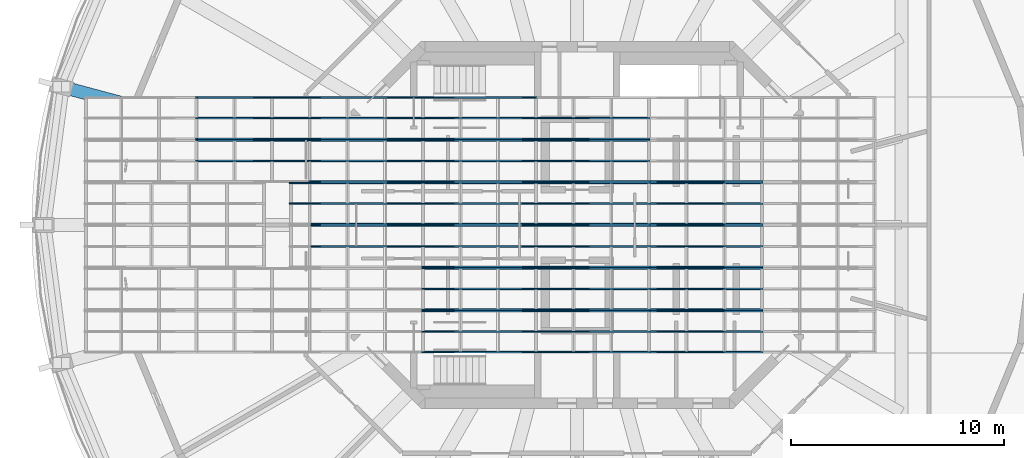
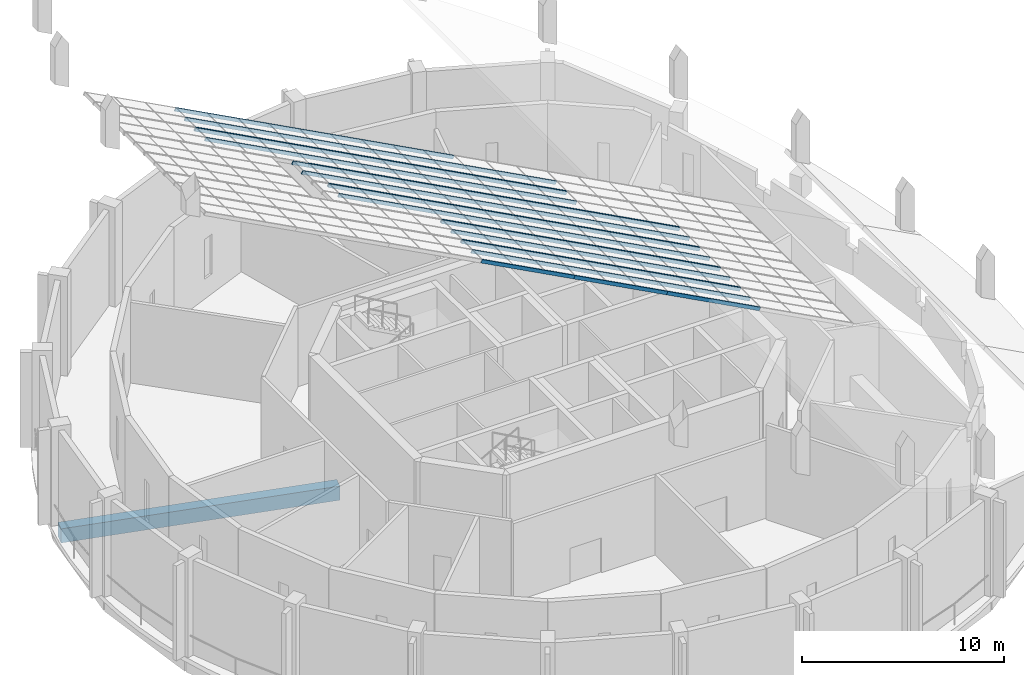
# One storey, part 2 of 19: 66 members, 1 beam, 6 elements without a shape of their own.
"""IFC4 building model written with IfcOpenShell, lengths in metres."""

from ifc_helpers import new_model, si_unit, direction, frame, origin, origin_2d, place, context, subcontext, project, spatial, rectangle, extrude, material, material_profile, profile_set, type_object, element, aggregate, save


model = new_model("IFC4")

# Units and contexts
model_context = context("Model", 3, precision=1e-05, world=origin(), true_north=direction((0.0, 1.0)))
body_context = subcontext(model_context, "Body", "Model", "MODEL_VIEW")
ifc_project = project(units=[si_unit("LENGTHUNIT", "METRE"), si_unit("AREAUNIT", "SQUARE_METRE"), si_unit("VOLUMEUNIT", "CUBIC_METRE"), si_unit("PLANEANGLEUNIT", "RADIAN"), si_unit("MASSUNIT", "GRAM", prefix="KILO")], contexts=[model_context])

# Site, building, storey
site_placement = place(None, origin())
site = spatial("IfcSite", under=ifc_project, at=site_placement, CompositionType="ELEMENT")
building_placement = place(site_placement, origin())
building = spatial("IfcBuilding", under=site, at=building_placement, Name="Torre Triforio", CompositionType="ELEMENT")
storey_placement = place(building_placement, frame((0.0, 0.0, 290.800048828125)))
storey = spatial("IfcBuildingStorey", under=building, at=storey_placement, Name="RF-1", CompositionType="ELEMENT", Elevation=290.800048828125)

# Curtain wall, members
ifc_material_1 = material(Name="Aluminium glazing bars with clear laminated glass", Category="aluminium")
curtain_wall_type = type_object("IfcCurtainWallType", Name="Crown lantern glazing CW4", PredefinedType="NOTDEFINED", material=ifc_material_1)
curtain_wall_1_placement = place(storey_placement, origin())
curtain_wall_1 = element("IfcCurtainWall", 1, at=curtain_wall_1_placement, inside=storey, type_object=curtain_wall_type, Name="Crown lantern run 1", PredefinedType="NOTDEFINED")
ifc_material_2 = material(Name="Anodised aluminium extrusion", Category="aluminium")
ifc_material_profile_1 = material_profile(ifc_material_2, rectangle(XDim=0.070068359375, YDim=0.199951171875, at=origin_2d()), Name="CW4 MULLION 70x200")
ifc_profile_set_1 = profile_set([ifc_material_profile_1], Name="Anodised aluminium extrusion")
member_type = type_object("IfcMemberType", Name="CW4 glazing bar 70 x 200", PredefinedType="MULLION", material=ifc_profile_set_1)
member_1_placement = place(storey_placement, frame((8.655517578125, -5.965087890625, 8.869873046875), z_axis=(-0.882966055528, 0.0, 0.469436837909), x_axis=(0.0, -1.0, 0.0)))
member_1 = element("IfcMember", 2, at=member_1_placement, type_object=member_type, Name="CW4 glazing bar 1.1.2", PredefinedType="MULLION", context=body_context, shape_type="SweptSolid", body=[
    extrude(rectangle(XDim=0.070068359375, YDim=0.199951171875, at=origin_2d()), origin(), (0.0, 0.0, 1.0), 6.0),
])
member_2_placement = place(storey_placement, frame((3.357666015625, -5.965087890625, 11.6865234375), z_axis=(-0.882940221191, 0.0, 0.469485426614), x_axis=(0.0, -1.0, 0.0)))
member_2 = element("IfcMember", 3, at=member_2_placement, type_object=member_type, Name="CW4 glazing bar 1.1.3", PredefinedType="MULLION", context=body_context, shape_type="SweptSolid", body=[
    extrude(rectangle(XDim=0.070068359375, YDim=0.199951171875, at=origin_2d()), origin(), (0.0, 0.0, 1.0), 6.0),
])
member_3_placement = place(storey_placement, frame((-1.93994140625, -5.965087890625, 14.50341796875), z_axis=(-0.882949189538, 0.0, 0.469468559857), x_axis=(0.0, -1.0, 0.0)))
member_3 = element("IfcMember", 4, at=member_3_placement, type_object=member_type, Name="CW4 glazing bar 1.1.4", PredefinedType="MULLION", context=body_context, shape_type="SweptSolid", body=[
    extrude(rectangle(XDim=0.070068359375, YDim=0.199951171875, at=origin_2d()), origin(), (0.0, 0.0, 1.0), 6.000244140625),
])
member_4_placement = place(storey_placement, frame((8.655517578125, -5.0, 8.869873046875), z_axis=(-0.882966055528, 0.0, 0.469436837909), x_axis=(0.0, -1.0, 0.0)))
member_4 = element("IfcMember", 5, at=member_4_placement, type_object=member_type, Name="CW4 glazing bar 1.2.2", PredefinedType="MULLION", context=body_context, shape_type="SweptSolid", body=[
    extrude(rectangle(XDim=0.070068359375, YDim=0.199951171875, at=origin_2d()), origin(), (0.0, 0.0, 1.0), 6.0),
])
member_5_placement = place(storey_placement, frame((3.357666015625, -5.0, 11.6865234375), z_axis=(-0.882940221191, 0.0, 0.469485426614), x_axis=(0.0, -1.0, 0.0)))
member_5 = element("IfcMember", 6, at=member_5_placement, type_object=member_type, Name="CW4 glazing bar 1.2.3", PredefinedType="MULLION", context=body_context, shape_type="SweptSolid", body=[
    extrude(rectangle(XDim=0.070068359375, YDim=0.199951171875, at=origin_2d()), origin(), (0.0, 0.0, 1.0), 6.0),
])
member_6_placement = place(storey_placement, frame((-1.93994140625, -5.0, 14.50341796875), z_axis=(-0.882949189538, 0.0, 0.469468559857), x_axis=(0.0, -1.0, 0.0)))
member_6 = element("IfcMember", 7, at=member_6_placement, type_object=member_type, Name="CW4 glazing bar 1.2.4", PredefinedType="MULLION", context=body_context, shape_type="SweptSolid", body=[
    extrude(rectangle(XDim=0.070068359375, YDim=0.199951171875, at=origin_2d()), origin(), (0.0, 0.0, 1.0), 6.000244140625),
])
member_7_placement = place(storey_placement, frame((8.655517578125, -4.034912109375, 8.869873046875), z_axis=(-0.882966055528, 0.0, 0.469436837909), x_axis=(0.0, -1.0, 0.0)))
member_7 = element("IfcMember", 8, at=member_7_placement, type_object=member_type, Name="CW4 glazing bar 1.3.2", PredefinedType="MULLION", context=body_context, shape_type="SweptSolid", body=[
    extrude(rectangle(XDim=0.070068359375, YDim=0.199951171875, at=origin_2d()), origin(), (0.0, 0.0, 1.0), 6.0),
])
member_8_placement = place(storey_placement, frame((3.357666015625, -4.034912109375, 11.6865234375), z_axis=(-0.882940221191, 0.0, 0.469485426614), x_axis=(0.0, -1.0, 0.0)))
member_8 = element("IfcMember", 9, at=member_8_placement, type_object=member_type, Name="CW4 glazing bar 1.3.3", PredefinedType="MULLION", context=body_context, shape_type="SweptSolid", body=[
    extrude(rectangle(XDim=0.070068359375, YDim=0.199951171875, at=origin_2d()), origin(), (0.0, 0.0, 1.0), 6.0),
])
member_9_placement = place(storey_placement, frame((-1.93994140625, -4.034912109375, 14.50341796875), z_axis=(-0.882949189538, 0.0, 0.469468559857), x_axis=(0.0, -1.0, 0.0)))
member_9 = element("IfcMember", 10, at=member_9_placement, type_object=member_type, Name="CW4 glazing bar 1.3.4", PredefinedType="MULLION", context=body_context, shape_type="SweptSolid", body=[
    extrude(rectangle(XDim=0.070068359375, YDim=0.199951171875, at=origin_2d()), origin(), (0.0, 0.0, 1.0), 6.000244140625),
])
aggregate(curtain_wall_1, [member_1, member_2, member_3, member_4, member_5, member_6, member_7, member_8, member_9])

curtain_wall_2_placement = place(storey_placement, origin())
curtain_wall_2 = element("IfcCurtainWall", 11, at=curtain_wall_2_placement, inside=storey, type_object=curtain_wall_type, Name="Crown lantern run 2", PredefinedType="NOTDEFINED")
member_10_placement = place(storey_placement, frame((8.655517578125, -3.965087890625, 8.869873046875), z_axis=(-0.882966055528, 0.0, 0.469436837909), x_axis=(0.0, -1.0, 0.0)))
member_10 = element("IfcMember", 12, at=member_10_placement, type_object=member_type, Name="CW4 glazing bar 2.1.2", PredefinedType="MULLION", context=body_context, shape_type="SweptSolid", body=[
    extrude(rectangle(XDim=0.070068359375, YDim=0.199951171875, at=origin_2d()), origin(), (0.0, 0.0, 1.0), 6.0),
])
member_11_placement = place(storey_placement, frame((3.357666015625, -3.965087890625, 11.6865234375), z_axis=(-0.882940221191, 0.0, 0.469485426614), x_axis=(0.0, -1.0, 0.0)))
member_11 = element("IfcMember", 13, at=member_11_placement, type_object=member_type, Name="CW4 glazing bar 2.1.3", PredefinedType="MULLION", context=body_context, shape_type="SweptSolid", body=[
    extrude(rectangle(XDim=0.070068359375, YDim=0.199951171875, at=origin_2d()), origin(), (0.0, 0.0, 1.0), 6.0),
])
member_12_placement = place(storey_placement, frame((-1.93994140625, -3.965087890625, 14.50341796875), z_axis=(-0.882949189538, 0.0, 0.469468559857), x_axis=(0.0, -1.0, 0.0)))
member_12 = element("IfcMember", 14, at=member_12_placement, type_object=member_type, Name="CW4 glazing bar 2.1.4", PredefinedType="MULLION", context=body_context, shape_type="SweptSolid", body=[
    extrude(rectangle(XDim=0.070068359375, YDim=0.199951171875, at=origin_2d()), origin(), (0.0, 0.0, 1.0), 6.000244140625),
])
member_13_placement = place(storey_placement, frame((8.655517578125, -3.0, 8.869873046875), z_axis=(-0.882966055528, 0.0, 0.469436837909), x_axis=(0.0, -1.0, 0.0)))
member_13 = element("IfcMember", 15, at=member_13_placement, type_object=member_type, Name="CW4 glazing bar 2.2.2", PredefinedType="MULLION", context=body_context, shape_type="SweptSolid", body=[
    extrude(rectangle(XDim=0.070068359375, YDim=0.199951171875, at=origin_2d()), origin(), (0.0, 0.0, 1.0), 6.0),
])
member_14_placement = place(storey_placement, frame((3.357666015625, -3.0, 11.6865234375), z_axis=(-0.882940221191, 0.0, 0.469485426614), x_axis=(0.0, -1.0, 0.0)))
member_14 = element("IfcMember", 16, at=member_14_placement, type_object=member_type, Name="CW4 glazing bar 2.2.3", PredefinedType="MULLION", context=body_context, shape_type="SweptSolid", body=[
    extrude(rectangle(XDim=0.070068359375, YDim=0.199951171875, at=origin_2d()), origin(), (0.0, 0.0, 1.0), 6.0),
])
member_15_placement = place(storey_placement, frame((-1.93994140625, -3.0, 14.50341796875), z_axis=(-0.882949189538, 0.0, 0.469468559857), x_axis=(0.0, -1.0, 0.0)))
member_15 = element("IfcMember", 17, at=member_15_placement, type_object=member_type, Name="CW4 glazing bar 2.2.4", PredefinedType="MULLION", context=body_context, shape_type="SweptSolid", body=[
    extrude(rectangle(XDim=0.070068359375, YDim=0.199951171875, at=origin_2d()), origin(), (0.0, 0.0, 1.0), 6.000244140625),
])
member_16_placement = place(storey_placement, frame((8.655517578125, -2.034912109375, 8.869873046875), z_axis=(-0.882966055528, 0.0, 0.469436837909), x_axis=(0.0, -1.0, 0.0)))
member_16 = element("IfcMember", 18, at=member_16_placement, type_object=member_type, Name="CW4 glazing bar 2.3.2", PredefinedType="MULLION", context=body_context, shape_type="SweptSolid", body=[
    extrude(rectangle(XDim=0.070068359375, YDim=0.199951171875, at=origin_2d()), origin(), (0.0, 0.0, 1.0), 6.0),
])
member_17_placement = place(storey_placement, frame((3.357666015625, -2.034912109375, 11.6865234375), z_axis=(-0.882940221191, 0.0, 0.469485426614), x_axis=(0.0, -1.0, 0.0)))
member_17 = element("IfcMember", 19, at=member_17_placement, type_object=member_type, Name="CW4 glazing bar 2.3.3", PredefinedType="MULLION", context=body_context, shape_type="SweptSolid", body=[
    extrude(rectangle(XDim=0.070068359375, YDim=0.199951171875, at=origin_2d()), origin(), (0.0, 0.0, 1.0), 6.0),
])
member_18_placement = place(storey_placement, frame((-1.93994140625, -2.034912109375, 14.50341796875), z_axis=(-0.882949189538, 0.0, 0.469468559857), x_axis=(0.0, -1.0, 0.0)))
member_18 = element("IfcMember", 20, at=member_18_placement, type_object=member_type, Name="CW4 glazing bar 2.3.4", PredefinedType="MULLION", context=body_context, shape_type="SweptSolid", body=[
    extrude(rectangle(XDim=0.070068359375, YDim=0.199951171875, at=origin_2d()), origin(), (0.0, 0.0, 1.0), 6.000244140625),
])
aggregate(curtain_wall_2, [member_10, member_11, member_12, member_13, member_14, member_15, member_16, member_17, member_18])

curtain_wall_3_placement = place(storey_placement, origin())
curtain_wall_3 = element("IfcCurtainWall", 21, at=curtain_wall_3_placement, inside=storey, type_object=curtain_wall_type, Name="Crown lantern run 3", PredefinedType="NOTDEFINED")
member_19_placement = place(storey_placement, frame((8.655517578125, -1.965087890625, 8.869873046875), z_axis=(-0.882966055528, 0.0, 0.469436837909), x_axis=(0.0, -1.0, 0.0)))
member_19 = element("IfcMember", 22, at=member_19_placement, type_object=member_type, Name="CW4 glazing bar 3.1.2", PredefinedType="MULLION", context=body_context, shape_type="SweptSolid", body=[
    extrude(rectangle(XDim=0.070068359375, YDim=0.199951171875, at=origin_2d()), origin(), (0.0, 0.0, 1.0), 6.0),
])
member_20_placement = place(storey_placement, frame((3.357666015625, -1.965087890625, 11.6865234375), z_axis=(-0.882940221191, 0.0, 0.469485426614), x_axis=(0.0, -1.0, 0.0)))
member_20 = element("IfcMember", 23, at=member_20_placement, type_object=member_type, Name="CW4 glazing bar 3.1.3", PredefinedType="MULLION", context=body_context, shape_type="SweptSolid", body=[
    extrude(rectangle(XDim=0.070068359375, YDim=0.199951171875, at=origin_2d()), origin(), (0.0, 0.0, 1.0), 6.0),
])
member_21_placement = place(storey_placement, frame((-1.93994140625, -1.965087890625, 14.50341796875), z_axis=(-0.882949189538, 0.0, 0.469468559857), x_axis=(0.0, -1.0, 0.0)))
member_21 = element("IfcMember", 24, at=member_21_placement, type_object=member_type, Name="CW4 glazing bar 3.1.4", PredefinedType="MULLION", context=body_context, shape_type="SweptSolid", body=[
    extrude(rectangle(XDim=0.070068359375, YDim=0.199951171875, at=origin_2d()), origin(), (0.0, 0.0, 1.0), 6.000244140625),
])
member_22_placement = place(storey_placement, frame((8.655517578125, -1.0, 8.869873046875), z_axis=(-0.882966055528, 0.0, 0.469436837909), x_axis=(0.0, -1.0, 0.0)))
member_22 = element("IfcMember", 25, at=member_22_placement, type_object=member_type, Name="CW4 glazing bar 3.2.2", PredefinedType="MULLION", context=body_context, shape_type="SweptSolid", body=[
    extrude(rectangle(XDim=0.070068359375, YDim=0.199951171875, at=origin_2d()), origin(), (0.0, 0.0, 1.0), 6.0),
])
member_23_placement = place(storey_placement, frame((3.357666015625, -1.0, 11.6865234375), z_axis=(-0.882940221191, 0.0, 0.469485426614), x_axis=(0.0, -1.0, 0.0)))
member_23 = element("IfcMember", 26, at=member_23_placement, type_object=member_type, Name="CW4 glazing bar 3.2.3", PredefinedType="MULLION", context=body_context, shape_type="SweptSolid", body=[
    extrude(rectangle(XDim=0.070068359375, YDim=0.199951171875, at=origin_2d()), origin(), (0.0, 0.0, 1.0), 6.0),
])
member_24_placement = place(storey_placement, frame((-1.93994140625, -1.0, 14.50341796875), z_axis=(-0.882949189538, 0.0, 0.469468559857), x_axis=(0.0, -1.0, 0.0)))
member_24 = element("IfcMember", 27, at=member_24_placement, type_object=member_type, Name="CW4 glazing bar 3.2.4", PredefinedType="MULLION", context=body_context, shape_type="SweptSolid", body=[
    extrude(rectangle(XDim=0.070068359375, YDim=0.199951171875, at=origin_2d()), origin(), (0.0, 0.0, 1.0), 6.000244140625),
])
member_25_placement = place(storey_placement, frame((-7.23779296875, -1.0, 17.3203125), z_axis=(-0.882957088221, 0.0, 0.469453704171), x_axis=(0.0, -1.0, 0.0)))
member_25 = element("IfcMember", 28, at=member_25_placement, type_object=member_type, Name="CW4 glazing bar 3.2.5", PredefinedType="MULLION", context=body_context, shape_type="SweptSolid", body=[
    extrude(rectangle(XDim=0.070068359375, YDim=0.199951171875, at=origin_2d()), origin(), (0.0, 0.0, 1.0), 5.999755859375),
])
member_26_placement = place(storey_placement, frame((8.655517578125, -0.034912109375, 8.869873046875), z_axis=(-0.882966055528, 0.0, 0.469436837909), x_axis=(0.0, -1.0, 0.0)))
member_26 = element("IfcMember", 29, at=member_26_placement, type_object=member_type, Name="CW4 glazing bar 3.3.2", PredefinedType="MULLION", context=body_context, shape_type="SweptSolid", body=[
    extrude(rectangle(XDim=0.070068359375, YDim=0.199951171875, at=origin_2d()), origin(), (0.0, 0.0, 1.0), 6.0),
])
member_27_placement = place(storey_placement, frame((3.357666015625, -0.034912109375, 11.6865234375), z_axis=(-0.882940221191, 0.0, 0.469485426614), x_axis=(0.0, -1.0, 0.0)))
member_27 = element("IfcMember", 30, at=member_27_placement, type_object=member_type, Name="CW4 glazing bar 3.3.3", PredefinedType="MULLION", context=body_context, shape_type="SweptSolid", body=[
    extrude(rectangle(XDim=0.070068359375, YDim=0.199951171875, at=origin_2d()), origin(), (0.0, 0.0, 1.0), 6.0),
])
member_28_placement = place(storey_placement, frame((-1.93994140625, -0.034912109375, 14.50341796875), z_axis=(-0.882949189538, 0.0, 0.469468559857), x_axis=(0.0, -1.0, 0.0)))
member_28 = element("IfcMember", 31, at=member_28_placement, type_object=member_type, Name="CW4 glazing bar 3.3.4", PredefinedType="MULLION", context=body_context, shape_type="SweptSolid", body=[
    extrude(rectangle(XDim=0.070068359375, YDim=0.199951171875, at=origin_2d()), origin(), (0.0, 0.0, 1.0), 6.000244140625),
])
member_29_placement = place(storey_placement, frame((-7.23779296875, -0.034912109375, 17.3203125), z_axis=(-0.882957088221, 0.0, 0.469453704171), x_axis=(0.0, -1.0, 0.0)))
member_29 = element("IfcMember", 32, at=member_29_placement, type_object=member_type, Name="CW4 glazing bar 3.3.5", PredefinedType="MULLION", context=body_context, shape_type="SweptSolid", body=[
    extrude(rectangle(XDim=0.070068359375, YDim=0.199951171875, at=origin_2d()), origin(), (0.0, 0.0, 1.0), 5.999755859375),
])
aggregate(curtain_wall_3, [member_19, member_20, member_21, member_22, member_23, member_24, member_25, member_26, member_27, member_28, member_29])

curtain_wall_4_placement = place(storey_placement, origin())
curtain_wall_4 = element("IfcCurtainWall", 33, at=curtain_wall_4_placement, inside=storey, type_object=curtain_wall_type, Name="Crown lantern run 5", PredefinedType="NOTDEFINED")
member_30_placement = place(storey_placement, frame((8.655517578125, 0.034912109375, 8.869873046875), z_axis=(-0.882966055528, 0.0, 0.469436837909), x_axis=(0.0, -1.0, 0.0)))
member_30 = element("IfcMember", 34, at=member_30_placement, type_object=member_type, Name="CW4 glazing bar 5.1.2", PredefinedType="MULLION", context=body_context, shape_type="SweptSolid", body=[
    extrude(rectangle(XDim=0.070068359375, YDim=0.199951171875, at=origin_2d()), origin(), (0.0, 0.0, 1.0), 6.0),
])
member_31_placement = place(storey_placement, frame((3.357666015625, 0.034912109375, 11.6865234375), z_axis=(-0.882940221191, 0.0, 0.469485426614), x_axis=(0.0, -1.0, 0.0)))
member_31 = element("IfcMember", 35, at=member_31_placement, type_object=member_type, Name="CW4 glazing bar 5.1.3", PredefinedType="MULLION", context=body_context, shape_type="SweptSolid", body=[
    extrude(rectangle(XDim=0.070068359375, YDim=0.199951171875, at=origin_2d()), origin(), (0.0, 0.0, 1.0), 6.0),
])
member_32_placement = place(storey_placement, frame((-1.93994140625, 0.034912109375, 14.50341796875), z_axis=(-0.882949189538, 0.0, 0.469468559857), x_axis=(0.0, -1.0, 0.0)))
member_32 = element("IfcMember", 36, at=member_32_placement, type_object=member_type, Name="CW4 glazing bar 5.1.4", PredefinedType="MULLION", context=body_context, shape_type="SweptSolid", body=[
    extrude(rectangle(XDim=0.070068359375, YDim=0.199951171875, at=origin_2d()), origin(), (0.0, 0.0, 1.0), 6.000244140625),
])
member_33_placement = place(storey_placement, frame((-7.23779296875, 0.034912109375, 17.3203125), z_axis=(-0.882957088221, 0.0, 0.469453704171), x_axis=(0.0, -1.0, 0.0)))
member_33 = element("IfcMember", 37, at=member_33_placement, type_object=member_type, Name="CW4 glazing bar 5.1.5", PredefinedType="MULLION", context=body_context, shape_type="SweptSolid", body=[
    extrude(rectangle(XDim=0.070068359375, YDim=0.199951171875, at=origin_2d()), origin(), (0.0, 0.0, 1.0), 5.999755859375),
])
member_34_placement = place(storey_placement, frame((8.655517578125, 1.0, 8.869873046875), z_axis=(-0.882966055528, 0.0, 0.469436837909), x_axis=(0.0, -1.0, 0.0)))
member_34 = element("IfcMember", 38, at=member_34_placement, type_object=member_type, Name="CW4 glazing bar 5.2.2", PredefinedType="MULLION", context=body_context, shape_type="SweptSolid", body=[
    extrude(rectangle(XDim=0.070068359375, YDim=0.199951171875, at=origin_2d()), origin(), (0.0, 0.0, 1.0), 6.0),
])
member_35_placement = place(storey_placement, frame((3.357666015625, 1.0, 11.6865234375), z_axis=(-0.882940221191, 0.0, 0.469485426614), x_axis=(0.0, -1.0, 0.0)))
member_35 = element("IfcMember", 39, at=member_35_placement, type_object=member_type, Name="CW4 glazing bar 5.2.3", PredefinedType="MULLION", context=body_context, shape_type="SweptSolid", body=[
    extrude(rectangle(XDim=0.070068359375, YDim=0.199951171875, at=origin_2d()), origin(), (0.0, 0.0, 1.0), 6.0),
])
member_36_placement = place(storey_placement, frame((-1.93994140625, 1.0, 14.50341796875), z_axis=(-0.882949189538, 0.0, 0.469468559857), x_axis=(0.0, -1.0, 0.0)))
member_36 = element("IfcMember", 40, at=member_36_placement, type_object=member_type, Name="CW4 glazing bar 5.2.4", PredefinedType="MULLION", context=body_context, shape_type="SweptSolid", body=[
    extrude(rectangle(XDim=0.070068359375, YDim=0.199951171875, at=origin_2d()), origin(), (0.0, 0.0, 1.0), 6.000244140625),
])
member_37_placement = place(storey_placement, frame((-7.23779296875, 1.0, 17.3203125), z_axis=(-0.882957088221, 0.0, 0.469453704171), x_axis=(0.0, -1.0, 0.0)))
member_37 = element("IfcMember", 41, at=member_37_placement, type_object=member_type, Name="CW4 glazing bar 5.2.5", PredefinedType="MULLION", context=body_context, shape_type="SweptSolid", body=[
    extrude(rectangle(XDim=0.070068359375, YDim=0.199951171875, at=origin_2d()), origin(), (0.0, 0.0, 1.0), 5.999755859375),
])
member_38_placement = place(storey_placement, frame((-12.535400390625, 1.0, 20.136962890625), z_axis=(-0.882889075016, 0.0, 0.469581602298), x_axis=(0.0, -1.0, 0.0)))
member_38 = element("IfcMember", 42, at=member_38_placement, type_object=member_type, Name="CW4 glazing bar 5.2.6", PredefinedType="MULLION", context=body_context, shape_type="SweptSolid", body=[
    extrude(rectangle(XDim=0.070068359375, YDim=0.199951171875, at=origin_2d()), origin(), (0.0, 0.0, 1.0), 1.032470703125),
])
member_39_placement = place(storey_placement, frame((8.655517578125, 1.965087890625, 8.869873046875), z_axis=(-0.882966055528, 0.0, 0.469436837909), x_axis=(0.0, -1.0, 0.0)))
member_39 = element("IfcMember", 43, at=member_39_placement, type_object=member_type, Name="CW4 glazing bar 5.3.2", PredefinedType="MULLION", context=body_context, shape_type="SweptSolid", body=[
    extrude(rectangle(XDim=0.070068359375, YDim=0.199951171875, at=origin_2d()), origin(), (0.0, 0.0, 1.0), 6.0),
])
member_40_placement = place(storey_placement, frame((3.357666015625, 1.965087890625, 11.6865234375), z_axis=(-0.882940221191, 0.0, 0.469485426614), x_axis=(0.0, -1.0, 0.0)))
member_40 = element("IfcMember", 44, at=member_40_placement, type_object=member_type, Name="CW4 glazing bar 5.3.3", PredefinedType="MULLION", context=body_context, shape_type="SweptSolid", body=[
    extrude(rectangle(XDim=0.070068359375, YDim=0.199951171875, at=origin_2d()), origin(), (0.0, 0.0, 1.0), 6.0),
])
member_41_placement = place(storey_placement, frame((-1.93994140625, 1.965087890625, 14.50341796875), z_axis=(-0.882949189538, 0.0, 0.469468559857), x_axis=(0.0, -1.0, 0.0)))
member_41 = element("IfcMember", 45, at=member_41_placement, type_object=member_type, Name="CW4 glazing bar 5.3.4", PredefinedType="MULLION", context=body_context, shape_type="SweptSolid", body=[
    extrude(rectangle(XDim=0.070068359375, YDim=0.199951171875, at=origin_2d()), origin(), (0.0, 0.0, 1.0), 6.000244140625),
])
member_42_placement = place(storey_placement, frame((-7.23779296875, 1.965087890625, 17.3203125), z_axis=(-0.882957088221, 0.0, 0.469453704171), x_axis=(0.0, -1.0, 0.0)))
member_42 = element("IfcMember", 46, at=member_42_placement, type_object=member_type, Name="CW4 glazing bar 5.3.5", PredefinedType="MULLION", context=body_context, shape_type="SweptSolid", body=[
    extrude(rectangle(XDim=0.070068359375, YDim=0.199951171875, at=origin_2d()), origin(), (0.0, 0.0, 1.0), 5.999755859375),
])
member_43_placement = place(storey_placement, frame((-12.535400390625, 1.965087890625, 20.136962890625), z_axis=(-0.882889075016, 0.0, 0.469581602298), x_axis=(0.0, -1.0, 0.0)))
member_43 = element("IfcMember", 47, at=member_43_placement, type_object=member_type, Name="CW4 glazing bar 5.3.6", PredefinedType="MULLION", context=body_context, shape_type="SweptSolid", body=[
    extrude(rectangle(XDim=0.070068359375, YDim=0.199951171875, at=origin_2d()), origin(), (0.0, 0.0, 1.0), 1.032470703125),
])
aggregate(curtain_wall_4, [member_30, member_31, member_32, member_33, member_34, member_35, member_36, member_37, member_38, member_39, member_40, member_41, member_42, member_43])

curtain_wall_5_placement = place(storey_placement, origin())
curtain_wall_5 = element("IfcCurtainWall", 48, at=curtain_wall_5_placement, inside=storey, type_object=curtain_wall_type, Name="Crown lantern run 7", PredefinedType="NOTDEFINED")
member_44_placement = place(storey_placement, frame((8.655517578125, 2.034912109375, 8.869873046875), z_axis=(-0.882966055528, 0.0, 0.469436837909), x_axis=(0.0, -1.0, 0.0)))
member_44 = element("IfcMember", 49, at=member_44_placement, type_object=member_type, Name="CW4 glazing bar 7.1.2", PredefinedType="MULLION", context=body_context, shape_type="SweptSolid", body=[
    extrude(rectangle(XDim=0.070068359375, YDim=0.199951171875, at=origin_2d()), origin(), (0.0, 0.0, 1.0), 6.0),
])
member_45_placement = place(storey_placement, frame((3.357666015625, 2.034912109375, 11.6865234375), z_axis=(-0.882940221191, 0.0, 0.469485426614), x_axis=(0.0, -1.0, 0.0)))
member_45 = element("IfcMember", 50, at=member_45_placement, type_object=member_type, Name="CW4 glazing bar 7.1.3", PredefinedType="MULLION", context=body_context, shape_type="SweptSolid", body=[
    extrude(rectangle(XDim=0.070068359375, YDim=0.199951171875, at=origin_2d()), origin(), (0.0, 0.0, 1.0), 6.0),
])
member_46_placement = place(storey_placement, frame((-1.93994140625, 2.034912109375, 14.50341796875), z_axis=(-0.882949189538, 0.0, 0.469468559857), x_axis=(0.0, -1.0, 0.0)))
member_46 = element("IfcMember", 51, at=member_46_placement, type_object=member_type, Name="CW4 glazing bar 7.1.4", PredefinedType="MULLION", context=body_context, shape_type="SweptSolid", body=[
    extrude(rectangle(XDim=0.070068359375, YDim=0.199951171875, at=origin_2d()), origin(), (0.0, 0.0, 1.0), 6.000244140625),
])
member_47_placement = place(storey_placement, frame((-7.23779296875, 2.034912109375, 17.3203125), z_axis=(-0.882957088221, 0.0, 0.469453704171), x_axis=(0.0, -1.0, 0.0)))
member_47 = element("IfcMember", 52, at=member_47_placement, type_object=member_type, Name="CW4 glazing bar 7.1.5", PredefinedType="MULLION", context=body_context, shape_type="SweptSolid", body=[
    extrude(rectangle(XDim=0.070068359375, YDim=0.199951171875, at=origin_2d()), origin(), (0.0, 0.0, 1.0), 5.999755859375),
])
member_48_placement = place(storey_placement, frame((3.357666015625, 3.0, 11.6865234375), z_axis=(-0.882940221191, 0.0, 0.469485426614), x_axis=(0.0, -1.0, 0.0)))
member_48 = element("IfcMember", 53, at=member_48_placement, type_object=member_type, Name="CW4 glazing bar 7.2.3", PredefinedType="MULLION", context=body_context, shape_type="SweptSolid", body=[
    extrude(rectangle(XDim=0.070068359375, YDim=0.199951171875, at=origin_2d()), origin(), (0.0, 0.0, 1.0), 6.0),
])
member_49_placement = place(storey_placement, frame((-1.93994140625, 3.0, 14.50341796875), z_axis=(-0.882949189538, 0.0, 0.469468559857), x_axis=(0.0, -1.0, 0.0)))
member_49 = element("IfcMember", 54, at=member_49_placement, type_object=member_type, Name="CW4 glazing bar 7.2.4", PredefinedType="MULLION", context=body_context, shape_type="SweptSolid", body=[
    extrude(rectangle(XDim=0.070068359375, YDim=0.199951171875, at=origin_2d()), origin(), (0.0, 0.0, 1.0), 6.000244140625),
])
member_50_placement = place(storey_placement, frame((-7.23779296875, 3.0, 17.3203125), z_axis=(-0.882957088221, 0.0, 0.469453704171), x_axis=(0.0, -1.0, 0.0)))
member_50 = element("IfcMember", 55, at=member_50_placement, type_object=member_type, Name="CW4 glazing bar 7.2.5", PredefinedType="MULLION", context=body_context, shape_type="SweptSolid", body=[
    extrude(rectangle(XDim=0.070068359375, YDim=0.199951171875, at=origin_2d()), origin(), (0.0, 0.0, 1.0), 5.999755859375),
])
member_51_placement = place(storey_placement, frame((-12.535400390625, 3.0, 20.136962890625), z_axis=(-0.882940221191, 0.0, 0.469485426614), x_axis=(0.0, -1.0, 0.0)))
member_51 = element("IfcMember", 56, at=member_51_placement, type_object=member_type, Name="CW4 glazing bar 7.2.6", PredefinedType="MULLION", context=body_context, shape_type="SweptSolid", body=[
    extrude(rectangle(XDim=0.070068359375, YDim=0.199951171875, at=origin_2d()), origin(), (0.0, 0.0, 1.0), 6.0),
])
member_52_placement = place(storey_placement, frame((3.357666015625, 3.965087890625, 11.6865234375), z_axis=(-0.882940221191, 0.0, 0.469485426614), x_axis=(0.0, -1.0, 0.0)))
member_52 = element("IfcMember", 57, at=member_52_placement, type_object=member_type, Name="CW4 glazing bar 7.3.3", PredefinedType="MULLION", context=body_context, shape_type="SweptSolid", body=[
    extrude(rectangle(XDim=0.070068359375, YDim=0.199951171875, at=origin_2d()), origin(), (0.0, 0.0, 1.0), 6.0),
])
member_53_placement = place(storey_placement, frame((-1.93994140625, 3.965087890625, 14.50341796875), z_axis=(-0.882949189538, 0.0, 0.469468559857), x_axis=(0.0, -1.0, 0.0)))
member_53 = element("IfcMember", 58, at=member_53_placement, type_object=member_type, Name="CW4 glazing bar 7.3.4", PredefinedType="MULLION", context=body_context, shape_type="SweptSolid", body=[
    extrude(rectangle(XDim=0.070068359375, YDim=0.199951171875, at=origin_2d()), origin(), (0.0, 0.0, 1.0), 6.000244140625),
])
member_54_placement = place(storey_placement, frame((-7.23779296875, 3.965087890625, 17.3203125), z_axis=(-0.882957088221, 0.0, 0.469453704171), x_axis=(0.0, -1.0, 0.0)))
member_54 = element("IfcMember", 59, at=member_54_placement, type_object=member_type, Name="CW4 glazing bar 7.3.5", PredefinedType="MULLION", context=body_context, shape_type="SweptSolid", body=[
    extrude(rectangle(XDim=0.070068359375, YDim=0.199951171875, at=origin_2d()), origin(), (0.0, 0.0, 1.0), 5.999755859375),
])
member_55_placement = place(storey_placement, frame((-12.535400390625, 3.965087890625, 20.136962890625), z_axis=(-0.882940221191, 0.0, 0.469485426614), x_axis=(0.0, -1.0, 0.0)))
member_55 = element("IfcMember", 60, at=member_55_placement, type_object=member_type, Name="CW4 glazing bar 7.3.6", PredefinedType="MULLION", context=body_context, shape_type="SweptSolid", body=[
    extrude(rectangle(XDim=0.070068359375, YDim=0.199951171875, at=origin_2d()), origin(), (0.0, 0.0, 1.0), 6.0),
])
aggregate(curtain_wall_5, [member_44, member_45, member_46, member_47, member_48, member_49, member_50, member_51, member_52, member_53, member_54, member_55])

curtain_wall_6_placement = place(storey_placement, origin())
curtain_wall_6 = element("IfcCurtainWall", 61, at=curtain_wall_6_placement, inside=storey, type_object=curtain_wall_type, Name="Crown lantern run 8", PredefinedType="NOTDEFINED")
member_56_placement = place(storey_placement, frame((3.357666015625, 4.034912109375, 11.6865234375), z_axis=(-0.882940221191, 0.0, 0.469485426614), x_axis=(0.0, -1.0, 0.0)))
member_56 = element("IfcMember", 62, at=member_56_placement, type_object=member_type, Name="CW4 glazing bar 8.1.3", PredefinedType="MULLION", context=body_context, shape_type="SweptSolid", body=[
    extrude(rectangle(XDim=0.070068359375, YDim=0.199951171875, at=origin_2d()), origin(), (0.0, 0.0, 1.0), 6.0),
])
member_57_placement = place(storey_placement, frame((-1.93994140625, 4.034912109375, 14.50341796875), z_axis=(-0.882949189538, 0.0, 0.469468559857), x_axis=(0.0, -1.0, 0.0)))
member_57 = element("IfcMember", 63, at=member_57_placement, type_object=member_type, Name="CW4 glazing bar 8.1.4", PredefinedType="MULLION", context=body_context, shape_type="SweptSolid", body=[
    extrude(rectangle(XDim=0.070068359375, YDim=0.199951171875, at=origin_2d()), origin(), (0.0, 0.0, 1.0), 6.000244140625),
])
member_58_placement = place(storey_placement, frame((-7.23779296875, 4.034912109375, 17.3203125), z_axis=(-0.882957088221, 0.0, 0.469453704171), x_axis=(0.0, -1.0, 0.0)))
member_58 = element("IfcMember", 64, at=member_58_placement, type_object=member_type, Name="CW4 glazing bar 8.1.5", PredefinedType="MULLION", context=body_context, shape_type="SweptSolid", body=[
    extrude(rectangle(XDim=0.070068359375, YDim=0.199951171875, at=origin_2d()), origin(), (0.0, 0.0, 1.0), 5.999755859375),
])
member_59_placement = place(storey_placement, frame((-12.535400390625, 4.034912109375, 20.136962890625), z_axis=(-0.882940221191, 0.0, 0.469485426614), x_axis=(0.0, -1.0, 0.0)))
member_59 = element("IfcMember", 65, at=member_59_placement, type_object=member_type, Name="CW4 glazing bar 8.1.6", PredefinedType="MULLION", context=body_context, shape_type="SweptSolid", body=[
    extrude(rectangle(XDim=0.070068359375, YDim=0.199951171875, at=origin_2d()), origin(), (0.0, 0.0, 1.0), 6.0),
])
member_60_placement = place(storey_placement, frame((3.357666015625, 5.0, 11.6865234375), z_axis=(-0.882940221191, 0.0, 0.469485426614), x_axis=(0.0, -1.0, 0.0)))
member_60 = element("IfcMember", 66, at=member_60_placement, type_object=member_type, Name="CW4 glazing bar 8.2.3", PredefinedType="MULLION", context=body_context, shape_type="SweptSolid", body=[
    extrude(rectangle(XDim=0.070068359375, YDim=0.199951171875, at=origin_2d()), origin(), (0.0, 0.0, 1.0), 6.0),
])
member_61_placement = place(storey_placement, frame((-1.93994140625, 5.0, 14.50341796875), z_axis=(-0.882949189538, 0.0, 0.469468559857), x_axis=(0.0, -1.0, 0.0)))
member_61 = element("IfcMember", 67, at=member_61_placement, type_object=member_type, Name="CW4 glazing bar 8.2.4", PredefinedType="MULLION", context=body_context, shape_type="SweptSolid", body=[
    extrude(rectangle(XDim=0.070068359375, YDim=0.199951171875, at=origin_2d()), origin(), (0.0, 0.0, 1.0), 6.000244140625),
])
member_62_placement = place(storey_placement, frame((-7.23779296875, 5.0, 17.3203125), z_axis=(-0.882957088221, 0.0, 0.469453704171), x_axis=(0.0, -1.0, 0.0)))
member_62 = element("IfcMember", 68, at=member_62_placement, type_object=member_type, Name="CW4 glazing bar 8.2.5", PredefinedType="MULLION", context=body_context, shape_type="SweptSolid", body=[
    extrude(rectangle(XDim=0.070068359375, YDim=0.199951171875, at=origin_2d()), origin(), (0.0, 0.0, 1.0), 5.999755859375),
])
member_63_placement = place(storey_placement, frame((-12.535400390625, 5.0, 20.136962890625), z_axis=(-0.882940221191, 0.0, 0.469485426614), x_axis=(0.0, -1.0, 0.0)))
member_63 = element("IfcMember", 69, at=member_63_placement, type_object=member_type, Name="CW4 glazing bar 8.2.6", PredefinedType="MULLION", context=body_context, shape_type="SweptSolid", body=[
    extrude(rectangle(XDim=0.070068359375, YDim=0.199951171875, at=origin_2d()), origin(), (0.0, 0.0, 1.0), 6.0),
])
member_64_placement = place(storey_placement, frame((-1.93994140625, 5.965087890625, 14.50341796875), z_axis=(-0.882949189538, 0.0, 0.469468559857), x_axis=(0.0, -1.0, 0.0)))
member_64 = element("IfcMember", 70, at=member_64_placement, type_object=member_type, Name="CW4 glazing bar 8.3.4", PredefinedType="MULLION", context=body_context, shape_type="SweptSolid", body=[
    extrude(rectangle(XDim=0.070068359375, YDim=0.199951171875, at=origin_2d()), origin(), (0.0, 0.0, 1.0), 6.000244140625),
])
member_65_placement = place(storey_placement, frame((-7.23779296875, 5.965087890625, 17.3203125), z_axis=(-0.882957088221, 0.0, 0.469453704171), x_axis=(0.0, -1.0, 0.0)))
member_65 = element("IfcMember", 71, at=member_65_placement, type_object=member_type, Name="CW4 glazing bar 8.3.5", PredefinedType="MULLION", context=body_context, shape_type="SweptSolid", body=[
    extrude(rectangle(XDim=0.070068359375, YDim=0.199951171875, at=origin_2d()), origin(), (0.0, 0.0, 1.0), 5.999755859375),
])
member_66_placement = place(storey_placement, frame((-12.535400390625, 5.965087890625, 20.136962890625), z_axis=(-0.882940221191, 0.0, 0.469485426614), x_axis=(0.0, -1.0, 0.0)))
member_66 = element("IfcMember", 72, at=member_66_placement, type_object=member_type, Name="CW4 glazing bar 8.3.6", PredefinedType="MULLION", context=body_context, shape_type="SweptSolid", body=[
    extrude(rectangle(XDim=0.070068359375, YDim=0.199951171875, at=origin_2d()), origin(), (0.0, 0.0, 1.0), 6.0),
])
aggregate(curtain_wall_6, [member_56, member_57, member_58, member_59, member_60, member_61, member_62, member_63, member_64, member_65, member_66])

# Beam
ifc_material_3 = material(Name="Concrete C40", Category="concrete")
ifc_material_profile_2 = material_profile(ifc_material_3, rectangle(XDim=0.60009765625, YDim=0.85009765625, at=origin_2d()), Name="RC 600x850")
ifc_profile_set_2 = profile_set([ifc_material_profile_2], Name="Concrete C40")
beam_type = type_object("IfcBeamType", Name="Radial beam RC 600x850 C40", PredefinedType="BEAM", material=ifc_profile_set_2)
beam_placement = place(storey_placement, frame((-10.35009765625, 2.773193359375, -0.705078125), z_axis=(-0.965924478271, 0.258824075923, 0.0), x_axis=(-0.258824075923, -0.965924478271, 0.0)))
element("IfcBeam", 73, at=beam_placement, inside=storey, type_object=beam_type, Name="BM.R.RF-1.11", PredefinedType="BEAM", context=body_context, shape_type="SweptSolid", body=[
    extrude(rectangle(XDim=0.60009765625, YDim=0.85009765625, at=origin_2d()), origin(), (0.0, 0.0, 1.0), 14.284912109375),
])

save(model, "model.ifc")
